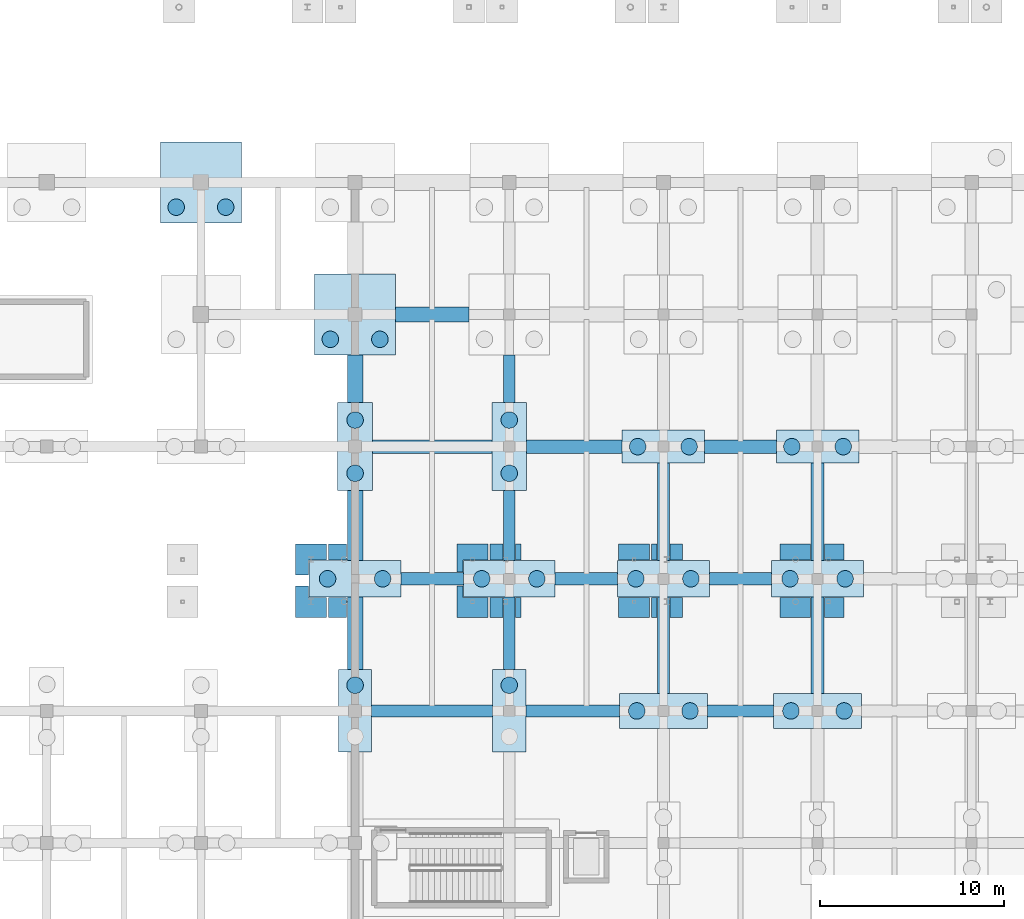
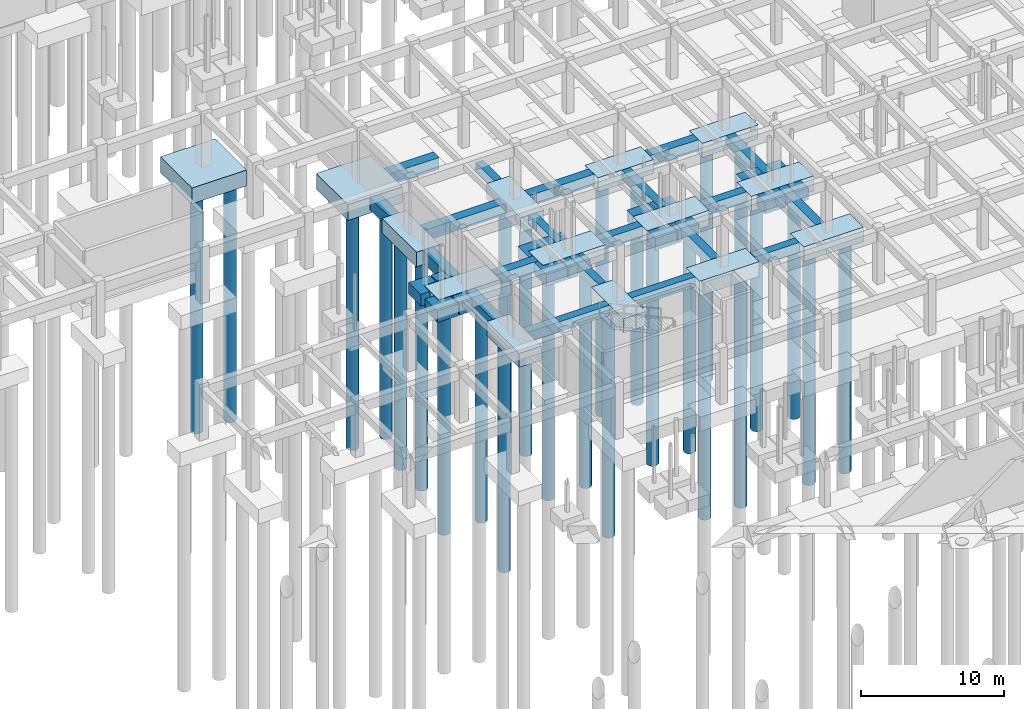
# One storey, part 6 of 80: 54 footings, 26 piles.
"""IFC4 building model written with IfcOpenShell, lengths in metres."""

import ifcopenshell
import ifcopenshell.guid

model = None  # the IFC model being written
_history = None  # IfcOwnerHistory: only IFC2X3 demands one
_inside = {}  # id of a spatial element -> (the spatial element, [elements in it])
_under = {}  # id of a project, library or spatial element -> (it, [spatial elements below it])
_declared = {}  # id of a project -> (the project, [libraries it declares])
_typed = {}  # id of a type object -> (the type object, [elements of that type])
_made_of = {}  # id of a material, layer set ... -> (it, [elements and type objects made of it])


def new_model(schema):
    """Start an empty IFC model of exactly this schema.

    Asked for "IFC4X3", IfcOpenShell would pick the latest addendum, in which some entities
    have other attributes; the version numbers below select the first issue.
    IFC2X3 requires an IfcOwnerHistory on every rooted entity: one is made here for all.
    """
    global model, _history
    if schema == "IFC4X3":
        model = ifcopenshell.file(schema_version=(4, 3, 0, 0))
    else:
        model = ifcopenshell.file(schema=schema)
    _inside.clear()
    _under.clear()
    _declared.clear()
    _typed.clear()
    _made_of.clear()
    _history = None
    if model.schema == "IFC2X3":
        org = make("IfcOrganization", Name="unknown")
        user = make(
            "IfcPersonAndOrganization",
            ThePerson=make("IfcPerson", FamilyName="unknown"),
            TheOrganization=org,
        )
        app = make(
            "IfcApplication",
            ApplicationDeveloper=org,
            Version="unknown",
            ApplicationFullName="unknown",
            ApplicationIdentifier="unknown",
        )
        _history = make(
            "IfcOwnerHistory",
            OwningUser=user,
            OwningApplication=app,
            ChangeAction="ADDED",
            CreationDate=0,
        )
    return model


def make(cls, **values):
    """One entity of the class cls with the attributes given. An attribute that is None is left unset."""
    return model.create_entity(
        cls, **{name: value for name, value in values.items() if value is not None}
    )


def rooted(cls, **values):
    """An entity with a GlobalId (a new one), such as an element, a storey or a relation."""
    return make(cls, GlobalId=ifcopenshell.guid.new(), OwnerHistory=_history, **values)


def si_unit(unit_type, name, prefix=None):
    """IfcSIUnit, for example si_unit("LENGTHUNIT", "METRE", prefix="MILLI")."""
    return make("IfcSIUnit", UnitType=unit_type, Prefix=prefix, Name=name)


def assignment(units):
    """IfcUnitAssignment: the units of a project."""
    return None if units is None else make("IfcUnitAssignment", Units=units)


def point(xyz):
    """IfcCartesianPoint."""
    return None if xyz is None else make("IfcCartesianPoint", Coordinates=xyz)


def direction(xyz):
    """IfcDirection."""
    return None if xyz is None else make("IfcDirection", DirectionRatios=xyz)


def frame(location, z_axis=None, x_axis=None):
    """IfcAxis2Placement3D, a coordinate frame: its origin and axes. An axis left out is left unset."""
    return make(
        "IfcAxis2Placement3D",
        Location=point(location),
        Axis=direction(z_axis),
        RefDirection=direction(x_axis),
    )


def frame_2d(location, x_axis=None):
    """IfcAxis2Placement2D, a coordinate frame in the plane: its origin and x axis."""
    return make(
        "IfcAxis2Placement2D", Location=point(location), RefDirection=direction(x_axis)
    )


def origin():
    """The frame at (0, 0, 0) with its axes left unset."""
    return frame((0.0, 0.0, 0.0))


def origin_2d():
    """The frame at (0, 0) in the plane with its x axis left unset."""
    return frame_2d((0.0, 0.0))


def place(relative_to, where):
    """IfcLocalPlacement: puts the frame where relative to a parent placement (None: the world)."""
    return make(
        "IfcLocalPlacement", PlacementRelTo=relative_to, RelativePlacement=where
    )


def context(
    kind, dimensions, precision=None, world=None, true_north=None, identifier=None
):
    """IfcGeometricRepresentationContext, for example the 3D "Model" context."""
    return make(
        "IfcGeometricRepresentationContext",
        ContextIdentifier=identifier,
        ContextType=kind,
        CoordinateSpaceDimension=dimensions,
        Precision=precision,
        WorldCoordinateSystem=world,
        TrueNorth=true_north,
    )


def subcontext(parent, identifier, kind, view, scale=None):
    """IfcGeometricRepresentationSubContext, for example "Body" below "Model"."""
    return make(
        "IfcGeometricRepresentationSubContext",
        ContextIdentifier=identifier,
        ContextType=kind,
        ParentContext=parent,
        TargetScale=scale,
        TargetView=view,
    )


def project(units=None, contexts=None):
    """IfcProject with its units and contexts."""
    return rooted(
        "IfcProject",
        Name="project",
        RepresentationContexts=contexts,
        UnitsInContext=assignment(units),
    )


def spatial(cls, under=None, at=None, **own):
    """A site, building, storey or space (cls), placed at a placement, below another one or the project."""
    s = rooted(cls, ObjectPlacement=at, **own)
    if under is not None:
        _under.setdefault(under.id(), (under, []))[1].append(s)
    return s


def polyline(points):
    """IfcPolyline through the points."""
    return make("IfcPolyline", Points=[point(p) for p in points])


def profile(cls, at=None, kind="AREA", **sizes):
    """A parametric profile (cls). Its sizes go by their IFC names, for example OverallWidth=200.0."""
    return make(cls, ProfileType=kind, Position=at, **sizes)


def rectangle(**sizes):
    """IfcRectangleProfileDef."""
    return profile("IfcRectangleProfileDef", **sizes)


def circle(**sizes):
    """IfcCircleProfileDef."""
    return profile("IfcCircleProfileDef", **sizes)


def outline(outer, holes=None, kind="AREA"):
    """IfcArbitraryClosedProfileDef: a profile drawn as a closed curve; with holes, ...WithVoids."""
    if holes is None:
        return make("IfcArbitraryClosedProfileDef", ProfileType=kind, OuterCurve=outer)
    return make(
        "IfcArbitraryProfileDefWithVoids",
        ProfileType=kind,
        OuterCurve=outer,
        InnerCurves=holes,
    )


def extrude(swept, where, along, depth):
    """IfcExtrudedAreaSolid: the profile swept, set in the frame where, extruded along a direction by depth."""
    return make(
        "IfcExtrudedAreaSolid",
        SweptArea=swept,
        Position=where,
        ExtrudedDirection=direction(along),
        Depth=depth,
    )


def shape(context_of_items, identifier, shape_type, items):
    """IfcShapeRepresentation: the items that make up one representation, for example the "Body"."""
    return make(
        "IfcShapeRepresentation",
        ContextOfItems=context_of_items,
        RepresentationIdentifier=identifier,
        RepresentationType=shape_type,
        Items=items,
    )


def material(Name=None, Category=None):
    """IfcMaterial."""
    return make("IfcMaterial", Name=Name, Category=Category)


def material_profile(
    of_material, cross_section, Name=None, Category=None, Priority=None
):
    """IfcMaterialProfile: a cross section and its material."""
    return make(
        "IfcMaterialProfile",
        Name=Name,
        Material=of_material,
        Profile=cross_section,
        Priority=Priority,
        Category=Category,
    )


def profile_set(profiles, Name=None, composite=None):
    """IfcMaterialProfileSet."""
    return make(
        "IfcMaterialProfileSet",
        Name=Name,
        MaterialProfiles=profiles,
        CompositeProfile=composite,
    )


def made_of(thing, what):
    """Note that an element or type object is made of a material, layer set ...; save() writes the relation."""
    if what is not None:
        _made_of.setdefault(what.id(), (what, []))[1].append(thing)
    return thing


def type_object(cls, material=None, **own):
    """A type object (cls), such as IfcWallType, which elements share."""
    return made_of(rooted(cls, **own), material)


def element(
    cls,
    number,
    at=None,
    inside=None,
    cuts=None,
    type_object=None,
    material=None,
    context=None,
    identifier="Body",
    shape_type=None,
    held_by="IfcProductDefinitionShape",
    body=None,
    shapes=None,
    **own,
):
    """One element of the class cls, such as IfcWall. Its Tag is "e" and its number.

    at: its placement. inside: the storey or other place that contains it. cuts: it is an
    opening in that element (IfcRelVoidsElement). A single representation is given by context,
    identifier, shape_type and body (its items); several are given by shapes. held_by: the class
    of the entity that holds the representations. save() writes the other relations.
    """
    e = rooted(cls, Tag="e%d" % number, ObjectPlacement=at, **own)
    if body is not None:
        shapes = [shape(context, identifier, shape_type, body)]
    if shapes is not None:
        e.Representation = make(held_by, Representations=shapes)
    if inside is not None:
        _inside.setdefault(inside.id(), (inside, []))[1].append(e)
    if cuts is not None:
        rooted(
            "IfcRelVoidsElement", RelatingBuildingElement=cuts, RelatedOpeningElement=e
        )
    if type_object is not None:
        _typed.setdefault(type_object.id(), (type_object, []))[1].append(e)
    return made_of(e, material)


def aggregate(whole, parts):
    """IfcRelAggregates: a whole, such as a stair, and the parts it consists of."""
    return rooted("IfcRelAggregates", RelatingObject=whole, RelatedObjects=parts)


def save(model, path):
    """Write the relations noted so far, then the file.

    IfcRelAggregates (storeys below a building ...), IfcRelContainedInSpatialStructure (elements
    in a storey), IfcRelDefinesByType, IfcRelAssociatesMaterial and IfcRelDeclares: one each for
    every whole, place, type object, material and project.
    """
    for whole, parts in _under.values():
        aggregate(whole, parts)
    for where, things in _inside.values():
        rooted(
            "IfcRelContainedInSpatialStructure",
            RelatedElements=things,
            RelatingStructure=where,
        )
    for kind, things in _typed.values():
        rooted("IfcRelDefinesByType", RelatedObjects=things, RelatingType=kind)
    for what, things in _made_of.values():
        rooted("IfcRelAssociatesMaterial", RelatedObjects=things, RelatingMaterial=what)
    for by, libraries in _declared.values():
        rooted("IfcRelDeclares", RelatingContext=by, RelatedDefinitions=libraries)
    model.write(path)


model = new_model("IFC4")

# Units and contexts
model_context = context("Model", 3, precision=1e-05, world=origin(), true_north=direction((0.0, 1.0)))
body_context = subcontext(model_context, "Body", "Model", "MODEL_VIEW")
ifc_project = project(units=[si_unit("LENGTHUNIT", "METRE"), si_unit("AREAUNIT", "SQUARE_METRE"), si_unit("VOLUMEUNIT", "CUBIC_METRE"), si_unit("PLANEANGLEUNIT", "RADIAN"), si_unit("MASSUNIT", "GRAM", prefix="KILO")], contexts=[model_context])

# Site, building, storey
site_placement = place(None, origin())
site = spatial("IfcSite", under=ifc_project, at=site_placement, CompositionType="ELEMENT")
building_placement = place(site_placement, origin())
building = spatial("IfcBuilding", under=site, at=building_placement, Name="Malvenik Polytechnic", CompositionType="ELEMENT")
storey_placement = place(building_placement, frame((0.0, 0.0, -4.800048828125)))
storey = spatial("IfcBuildingStorey", under=building, at=storey_placement, Name="B1", CompositionType="ELEMENT", Elevation=-4.800048828125)

# Footings
ifc_material = material(Name="Concrete C35/45", Category="concrete")
footing_type_1 = type_object("IfcFootingType", Name="STR-PC-1800x4500x1200", PredefinedType="PILE_CAP", material=ifc_material)
for number, where, z_axis, x_axis, name in (
    (1, (50.39990234375, 79.199951171875, -1.19970703125), (0.0, 0.0, 1.0), (1.0, 0.0, 0.0), "Pile Cap PC-01 #76"),
    (2, (58.800048828125, 79.199951171875, -1.19970703125), (0.0, 0.0, 1.0), (1.0, 0.0, 0.0), "Pile Cap PC-01 #88"),
):
    element("IfcFooting", number, at=place(storey_placement, frame(where, z_axis=z_axis, x_axis=x_axis)), inside=storey, type_object=footing_type_1, Name=name, PredefinedType="PILE_CAP", context=body_context, shape_type="SweptSolid", body=[
        extrude(rectangle(XDim=4.5, YDim=1.800048828125, at=origin_2d()), origin(), (0.0, 0.0, 1.0), 1.199951171875),
    ])
footing_type_2 = type_object("IfcFootingType", Name="STR-PC-1900x4800x1250", PredefinedType="PILE_CAP", material=ifc_material)
for number, where, z_axis, x_axis, name in (
    (3, (50.39990234375, 64.800048828125, -1.25), (0.0, 0.0, 1.0), (1.0, 0.0, 0.0), "Pile Cap PC-13 #74"),
    (4, (58.800048828125, 64.800048828125, -1.25), (0.0, 0.0, 1.0), (1.0, 0.0, 0.0), "Pile Cap PC-13 #86"),
):
    element("IfcFooting", number, at=place(storey_placement, frame(where, z_axis=z_axis, x_axis=x_axis)), inside=storey, type_object=footing_type_2, Name=name, PredefinedType="PILE_CAP", context=body_context, shape_type="SweptSolid", body=[
        extrude(rectangle(XDim=4.800048828125, YDim=1.89990234375, at=origin_2d()), origin(), (0.0, 0.0, 1.0), 1.25),
    ])
footing_type_3 = type_object("IfcFootingType", Name="STR-PC-2000x5000x1300", PredefinedType="PILE_CAP", material=ifc_material)
for number, where, z_axis, x_axis, name in (
    (5, (33.60009765625, 72.0, -1.2998046875), (0.0, 0.0, 1.0), (1.0, 0.0, 0.0), "Pile Cap PC-03 #50"),
    (6, (42.0, 72.0, -1.2998046875), (0.0, 0.0, 1.0), (1.0, 0.0, 0.0), "Pile Cap PC-03 #62"),
    (7, (50.39990234375, 72.0, -1.2998046875), (0.0, 0.0, 1.0), (1.0, 0.0, 0.0), "Pile Cap PC-03 #75"),
    (8, (58.800048828125, 72.0, -1.2998046875), (0.0, 0.0, 1.0), (1.0, 0.0, 0.0), "Pile Cap PC-03 #87"),
):
    element("IfcFooting", number, at=place(storey_placement, frame(where, z_axis=z_axis, x_axis=x_axis)), inside=storey, type_object=footing_type_3, Name=name, PredefinedType="PILE_CAP", context=body_context, shape_type="SweptSolid", body=[
        extrude(rectangle(XDim=5.0, YDim=2.0, at=origin_2d()), origin(), (0.0, 0.0, 1.0), 1.300048828125),
    ])
footing_type_4 = type_object("IfcFootingType", Name="STR-PC-4500x1800x1200", PredefinedType="PILE_CAP", material=ifc_material)
for number, where, z_axis, x_axis, name in (
    (9, (33.60009765625, 64.800048828125, -1.19970703125), (0.0, 0.0, 1.0), (1.0, 0.0, 0.0), "Pile Cap PC-02 #49"),
    (10, (42.0, 64.800048828125, -1.19970703125), (0.0, 0.0, 1.0), (1.0, 0.0, 0.0), "Pile Cap PC-02 #61"),
):
    element("IfcFooting", number, at=place(storey_placement, frame(where, z_axis=z_axis, x_axis=x_axis)), inside=storey, type_object=footing_type_4, Name=name, PredefinedType="PILE_CAP", context=body_context, shape_type="SweptSolid", body=[
        extrude(rectangle(XDim=1.800048828125, YDim=4.5, at=origin_2d()), origin(), (0.0, 0.0, 1.0), 1.199951171875),
    ])
footing_type_5 = type_object("IfcFootingType", Name="STR-PC-4800x1900x1250", PredefinedType="PILE_CAP", material=ifc_material)
for number, where, z_axis, x_axis, name in (
    (11, (33.60009765625, 79.199951171875, -1.25), (0.0, 0.0, 1.0), (1.0, 0.0, 0.0), "Pile Cap PC-14 #51"),
    (12, (42.0, 79.199951171875, -1.25), (0.0, 0.0, 1.0), (1.0, 0.0, 0.0), "Pile Cap PC-14 #63"),
):
    element("IfcFooting", number, at=place(storey_placement, frame(where, z_axis=z_axis, x_axis=x_axis)), inside=storey, type_object=footing_type_5, Name=name, PredefinedType="PILE_CAP", context=body_context, shape_type="SweptSolid", body=[
        extrude(rectangle(XDim=1.89990234375, YDim=4.800048828125, at=origin_2d()), origin(), (0.0, 0.0, 1.0), 1.25),
    ])
footing_type_6 = type_object("IfcFootingType", Name="STR-PC-COMB-10", PredefinedType="PILE_CAP", material=ifc_material)
footing_1_placement = place(storey_placement, frame((25.199951171875, 93.60009765625, -1.35009765625), z_axis=(0.0, 0.0, 1.0), x_axis=(1.0, 0.0, 0.0)))
element("IfcFooting", 13, at=footing_1_placement, inside=storey, type_object=footing_type_6, Name="Pile Cap PCC-10 #37", PredefinedType="PILE_CAP", context=body_context, shape_type="SweptSolid", body=[
    extrude(rectangle(XDim=4.39990234375, YDim=4.39990234375, at=origin_2d()), origin(), (0.0, 0.0, 1.0), 1.35009765625),
])
footing_type_7 = type_object("IfcFootingType", Name="STR-PC-COMB-13", PredefinedType="PILE_CAP", material=ifc_material)
footing_2_placement = place(storey_placement, frame((33.60009765625, 86.39990234375, -1.35009765625), z_axis=(0.0, 0.0, 1.0), x_axis=(1.0, 0.0, 0.0)))
element("IfcFooting", 14, at=footing_2_placement, inside=storey, type_object=footing_type_7, Name="Pile Cap PCC-13 #52", PredefinedType="PILE_CAP", context=body_context, shape_type="SweptSolid", body=[
    extrude(rectangle(XDim=4.39990234375, YDim=4.39990234375, at=origin_2d()), origin(), (0.0, 0.0, 1.0), 1.35009765625),
])

# Piles
ifc_material_profile_1 = material_profile(ifc_material, circle(Radius=0.449951171875, at=origin_2d()), Name="BORED PILE D900")
ifc_profile_set_1 = profile_set([ifc_material_profile_1], Name="Concrete C35/45")
pile_type_1 = type_object("IfcPileType", Name="STR-PL-D900-195", PredefinedType="BORED", material=ifc_profile_set_1)
for number, where, z_axis, x_axis, name in (
    (15, (32.10009765625, 72.0, -1.199951171875), (0.0, 0.0, -1.0), (1.0, 0.0, 0.0), "Bored Pile PL-01 #113"),
    (16, (35.10009765625, 72.0, -1.199951171875), (0.0, 0.0, -1.0), (1.0, 0.0, 0.0), "Bored Pile PL-01 #114"),
    (17, (40.5, 72.0, -1.199951171875), (0.0, 0.0, -1.0), (1.0, 0.0, 0.0), "Bored Pile PL-01 #141"),
    (18, (43.5, 72.0, -1.199951171875), (0.0, 0.0, -1.0), (1.0, 0.0, 0.0), "Bored Pile PL-01 #142"),
    (19, (48.89990234375, 72.0, -1.199951171875), (0.0, 0.0, -1.0), (1.0, 0.0, 0.0), "Bored Pile PL-01 #173"),
    (20, (51.89990234375, 72.0, -1.199951171875), (0.0, 0.0, -1.0), (1.0, 0.0, 0.0), "Bored Pile PL-01 #174"),
    (21, (57.300048828125, 72.0, -1.199951171875), (0.0, 0.0, -1.0), (1.0, 0.0, 0.0), "Bored Pile PL-01 #201"),
    (22, (60.300048828125, 72.0, -1.199951171875), (0.0, 0.0, -1.0), (1.0, 0.0, 0.0), "Bored Pile PL-01 #202"),
):
    element("IfcPile", number, at=place(storey_placement, frame(where, z_axis=z_axis, x_axis=x_axis)), inside=storey, type_object=pile_type_1, Name=name, PredefinedType="BORED", context=body_context, shape_type="SweptSolid", body=[
        extrude(circle(Radius=0.449951171875, at=origin_2d()), origin(), (0.0, 0.0, 1.0), 19.5),
    ])
ifc_material_profile_2 = material_profile(ifc_material, circle(Radius=0.449951171875, at=origin_2d()), Name="BORED PILE D900")
ifc_profile_set_2 = profile_set([ifc_material_profile_2], Name="Concrete C35/45")
pile_type_2 = type_object("IfcPileType", Name="STR-PL-D900-198", PredefinedType="BORED", material=ifc_profile_set_2)
for number, where, z_axis, x_axis, name in (
    (23, (33.60009765625, 66.199951171875, -1.099853515625), (0.0, 0.0, -1.0), (1.0, 0.0, 0.0), "Bored Pile PL-02 #112"),
    (24, (33.60009765625, 77.75, -1.14990234375), (0.0, 0.0, -1.0), (1.0, 0.0, 0.0), "Bored Pile PL-02 #115"),
    (25, (33.60009765625, 80.64990234375, -1.14990234375), (0.0, 0.0, -1.0), (1.0, 0.0, 0.0), "Bored Pile PL-02 #116"),
    (26, (42.0, 66.199951171875, -1.099853515625), (0.0, 0.0, -1.0), (1.0, 0.0, 0.0), "Bored Pile PL-02 #140"),
    (27, (42.0, 77.75, -1.14990234375), (0.0, 0.0, -1.0), (1.0, 0.0, 0.0), "Bored Pile PL-02 #143"),
    (28, (42.0, 80.64990234375, -1.14990234375), (0.0, 0.0, -1.0), (1.0, 0.0, 0.0), "Bored Pile PL-02 #144"),
    (29, (48.949951171875, 64.800048828125, -1.14990234375), (0.0, 0.0, -1.0), (1.0, 0.0, 0.0), "Bored Pile PL-02 #171"),
    (30, (51.85009765625, 64.800048828125, -1.14990234375), (0.0, 0.0, -1.0), (1.0, 0.0, 0.0), "Bored Pile PL-02 #172"),
    (31, (49.0, 79.199951171875, -1.099853515625), (0.0, 0.0, -1.0), (1.0, 0.0, 0.0), "Bored Pile PL-02 #175"),
    (32, (51.800048828125, 79.199951171875, -1.099853515625), (0.0, 0.0, -1.0), (1.0, 0.0, 0.0), "Bored Pile PL-02 #176"),
    (33, (57.35009765625, 64.800048828125, -1.14990234375), (0.0, 0.0, -1.0), (1.0, 0.0, 0.0), "Bored Pile PL-02 #199"),
    (34, (60.25, 64.800048828125, -1.14990234375), (0.0, 0.0, -1.0), (1.0, 0.0, 0.0), "Bored Pile PL-02 #200"),
    (35, (57.39990234375, 79.199951171875, -1.099853515625), (0.0, 0.0, -1.0), (1.0, 0.0, 0.0), "Bored Pile PL-02 #203"),
    (36, (60.199951171875, 79.199951171875, -1.099853515625), (0.0, 0.0, -1.0), (1.0, 0.0, 0.0), "Bored Pile PL-02 #204"),
):
    element("IfcPile", number, at=place(storey_placement, frame(where, z_axis=z_axis, x_axis=x_axis)), inside=storey, type_object=pile_type_2, Name=name, PredefinedType="BORED", context=body_context, shape_type="SweptSolid", body=[
        extrude(circle(Radius=0.449951171875, at=origin_2d()), origin(), (0.0, 0.0, 1.0), 19.800048828125),
    ])
ifc_material_profile_3 = material_profile(ifc_material, circle(Radius=0.449951171875, at=origin_2d()), Name="BORED PILE D900")
ifc_profile_set_3 = profile_set([ifc_material_profile_3], Name="Concrete C35/45")
pile_type_3 = type_object("IfcPileType", Name="STR-PL-D900-202", PredefinedType="BORED", material=ifc_profile_set_3)
for number, where, z_axis, x_axis, name in (
    (37, (23.85009765625, 92.25, -1.25), (0.0, 0.0, -1.0), (1.0, 0.0, 0.0), "Bored Pile PL-03 #83"),
    (38, (26.550048828125, 92.25, -1.25), (0.0, 0.0, -1.0), (1.0, 0.0, 0.0), "Bored Pile PL-03 #84"),
    (39, (32.25, 85.050048828125, -1.25), (0.0, 0.0, -1.0), (1.0, 0.0, 0.0), "Bored Pile PL-03 #117"),
    (40, (34.949951171875, 85.050048828125, -1.25), (0.0, 0.0, -1.0), (1.0, 0.0, 0.0), "Bored Pile PL-03 #118"),
):
    element("IfcPile", number, at=place(storey_placement, frame(where, z_axis=z_axis, x_axis=x_axis)), inside=storey, type_object=pile_type_3, Name=name, PredefinedType="BORED", context=body_context, shape_type="SweptSolid", body=[
        extrude(circle(Radius=0.449951171875, at=origin_2d()), origin(), (0.0, 0.0, 1.0), 20.199951171875),
    ])

# Footings
footing_type_8 = type_object("IfcFootingType", Name="STR-SF-600x800", PredefinedType="STRIP_FOOTING", material=ifc_material)
footing_3_placement = place(storey_placement, frame((0.0, 0.0, -0.800048828125)))
element("IfcFooting", 41, at=footing_3_placement, inside=storey, type_object=footing_type_8, Name="Ground Tie Beam SF-01 #196", PredefinedType="STRIP_FOOTING", context=body_context, shape_type="SweptSolid", body=[
    extrude(outline(polyline([(41.699951171875, 67.050048828125), (42.300048828125, 67.050048828125), (42.300048828125, 71.0), (41.699951171875, 71.0), (41.699951171875, 67.050048828125)])), origin(), (0.0, 0.0, 1.0), 0.800048828125),
])
footing_4_placement = place(storey_placement, frame((0.0, 0.0, -0.800048828125)))
element("IfcFooting", 42, at=footing_4_placement, inside=storey, type_object=footing_type_8, Name="Ground Tie Beam SF-01 #197", PredefinedType="STRIP_FOOTING", context=body_context, shape_type="SweptSolid", body=[
    extrude(outline(polyline([(41.699951171875, 73.0), (42.300048828125, 73.0), (42.300048828125, 76.800048828125), (41.699951171875, 76.800048828125), (41.699951171875, 73.0)])), origin(), (0.0, 0.0, 1.0), 0.800048828125),
])
footing_5_placement = place(storey_placement, frame((0.0, 0.0, -0.800048828125)))
element("IfcFooting", 43, at=footing_5_placement, inside=storey, type_object=footing_type_8, Name="Ground Tie Beam SF-01 #198", PredefinedType="STRIP_FOOTING", context=body_context, shape_type="SweptSolid", body=[
    extrude(outline(polyline([(41.699951171875, 81.60009765625), (42.300048828125, 81.60009765625), (42.300048828125, 84.199951171875), (41.699951171875, 84.199951171875), (41.699951171875, 81.60009765625)])), origin(), (0.0, 0.0, 1.0), 0.800048828125),
])
footing_type_9 = type_object("IfcFootingType", Name="STR-SF-650x850", PredefinedType="STRIP_FOOTING", material=ifc_material)
footing_6_placement = place(storey_placement, frame((0.0, 0.0, -0.849853515625)))
element("IfcFooting", 44, at=footing_6_placement, inside=storey, type_object=footing_type_9, Name="Ground Tie Beam SF-02 #70", PredefinedType="STRIP_FOOTING", context=body_context, shape_type="SweptSolid", body=[
    extrude(outline(polyline([(34.5, 64.47509765625), (41.10009765625, 64.47509765625), (41.10009765625, 65.125), (34.5, 65.125), (34.5, 64.47509765625)])), origin(), (0.0, 0.0, 1.0), 0.849853515625),
])
footing_7_placement = place(storey_placement, frame((0.0, 0.0, -0.849853515625)))
element("IfcFooting", 45, at=footing_7_placement, inside=storey, type_object=footing_type_9, Name="Ground Tie Beam SF-02 #71", PredefinedType="STRIP_FOOTING", context=body_context, shape_type="SweptSolid", body=[
    extrude(outline(polyline([(42.89990234375, 64.47509765625), (48.0, 64.47509765625), (48.0, 65.125), (42.89990234375, 65.125), (42.89990234375, 64.47509765625)])), origin(), (0.0, 0.0, 1.0), 0.849853515625),
])
footing_8_placement = place(storey_placement, frame((0.0, 0.0, -0.849853515625)))
element("IfcFooting", 46, at=footing_8_placement, inside=storey, type_object=footing_type_9, Name="Ground Tie Beam SF-02 #72", PredefinedType="STRIP_FOOTING", context=body_context, shape_type="SweptSolid", body=[
    extrude(outline(polyline([(52.800048828125, 64.47509765625), (56.39990234375, 64.47509765625), (56.39990234375, 65.125), (52.800048828125, 65.125), (52.800048828125, 64.47509765625)])), origin(), (0.0, 0.0, 1.0), 0.849853515625),
])
footing_9_placement = place(storey_placement, frame((0.0, 0.0, -0.849853515625)))
element("IfcFooting", 47, at=footing_9_placement, inside=storey, type_object=footing_type_9, Name="Ground Tie Beam SF-02 #206", PredefinedType="STRIP_FOOTING", context=body_context, shape_type="SweptSolid", body=[
    extrude(outline(polyline([(50.074951171875, 65.75), (50.72509765625, 65.75), (50.72509765625, 71.0), (50.074951171875, 71.0), (50.074951171875, 65.75)])), origin(), (0.0, 0.0, 1.0), 0.849853515625),
])
footing_10_placement = place(storey_placement, frame((0.0, 0.0, -0.849853515625)))
element("IfcFooting", 48, at=footing_10_placement, inside=storey, type_object=footing_type_9, Name="Ground Tie Beam SF-02 #207", PredefinedType="STRIP_FOOTING", context=body_context, shape_type="SweptSolid", body=[
    extrude(outline(polyline([(50.074951171875, 73.0), (50.72509765625, 73.0), (50.72509765625, 78.300048828125), (50.074951171875, 78.300048828125), (50.074951171875, 73.0)])), origin(), (0.0, 0.0, 1.0), 0.849853515625),
])
footing_type_10 = type_object("IfcFootingType", Name="STR-SF-700x900", PredefinedType="STRIP_FOOTING", material=ifc_material)
footing_11_placement = place(storey_placement, frame((0.0, 0.0, -0.89990234375)))
element("IfcFooting", 49, at=footing_11_placement, inside=storey, type_object=footing_type_10, Name="Ground Tie Beam SF-03 #82", PredefinedType="STRIP_FOOTING", context=body_context, shape_type="SweptSolid", body=[
    extrude(outline(polyline([(36.10009765625, 71.64990234375), (39.5, 71.64990234375), (39.5, 72.35009765625), (36.10009765625, 72.35009765625), (36.10009765625, 71.64990234375)])), origin(), (0.0, 0.0, 1.0), 0.89990234375),
])
footing_12_placement = place(storey_placement, frame((0.0, 0.0, -0.89990234375)))
element("IfcFooting", 50, at=footing_12_placement, inside=storey, type_object=footing_type_10, Name="Ground Tie Beam SF-03 #83", PredefinedType="STRIP_FOOTING", context=body_context, shape_type="SweptSolid", body=[
    extrude(outline(polyline([(44.5, 71.64990234375), (47.89990234375, 71.64990234375), (47.89990234375, 72.35009765625), (44.5, 72.35009765625), (44.5, 71.64990234375)])), origin(), (0.0, 0.0, 1.0), 0.89990234375),
])
footing_13_placement = place(storey_placement, frame((0.0, 0.0, -0.89990234375)))
element("IfcFooting", 51, at=footing_13_placement, inside=storey, type_object=footing_type_10, Name="Ground Tie Beam SF-03 #84", PredefinedType="STRIP_FOOTING", context=body_context, shape_type="SweptSolid", body=[
    extrude(outline(polyline([(52.89990234375, 71.64990234375), (56.300048828125, 71.64990234375), (56.300048828125, 72.35009765625), (52.89990234375, 72.35009765625), (52.89990234375, 71.64990234375)])), origin(), (0.0, 0.0, 1.0), 0.89990234375),
])
footing_14_placement = place(storey_placement, frame((0.0, 0.0, -0.89990234375)))
element("IfcFooting", 52, at=footing_14_placement, inside=storey, type_object=footing_type_10, Name="Ground Tie Beam SF-03 #215", PredefinedType="STRIP_FOOTING", context=body_context, shape_type="SweptSolid", body=[
    extrude(outline(polyline([(58.449951171875, 65.75), (59.14990234375, 65.75), (59.14990234375, 71.0), (58.449951171875, 71.0), (58.449951171875, 65.75)])), origin(), (0.0, 0.0, 1.0), 0.89990234375),
])
footing_15_placement = place(storey_placement, frame((0.0, 0.0, -0.89990234375)))
element("IfcFooting", 53, at=footing_15_placement, inside=storey, type_object=footing_type_10, Name="Ground Tie Beam SF-03 #216", PredefinedType="STRIP_FOOTING", context=body_context, shape_type="SweptSolid", body=[
    extrude(outline(polyline([(58.449951171875, 73.0), (59.14990234375, 73.0), (59.14990234375, 78.300048828125), (58.449951171875, 78.300048828125), (58.449951171875, 73.0)])), origin(), (0.0, 0.0, 1.0), 0.89990234375),
])
footing_type_11 = type_object("IfcFootingType", Name="STR-SF-750x950", PredefinedType="STRIP_FOOTING", material=ifc_material)
footing_16_placement = place(storey_placement, frame((0.0, 0.0, -0.949951171875)))
element("IfcFooting", 54, at=footing_16_placement, inside=storey, type_object=footing_type_11, Name="Ground Tie Beam SF-04 #94", PredefinedType="STRIP_FOOTING", context=body_context, shape_type="SweptSolid", body=[
    extrude(outline(polyline([(34.550048828125, 78.824951171875), (41.050048828125, 78.824951171875), (41.050048828125, 79.574951171875), (34.550048828125, 79.574951171875), (34.550048828125, 78.824951171875)])), origin(), (0.0, 0.0, 1.0), 0.949951171875),
])
footing_17_placement = place(storey_placement, frame((0.0, 0.0, -0.949951171875)))
element("IfcFooting", 55, at=footing_17_placement, inside=storey, type_object=footing_type_11, Name="Ground Tie Beam SF-04 #95", PredefinedType="STRIP_FOOTING", context=body_context, shape_type="SweptSolid", body=[
    extrude(outline(polyline([(42.949951171875, 78.824951171875), (48.14990234375, 78.824951171875), (48.14990234375, 79.574951171875), (42.949951171875, 79.574951171875), (42.949951171875, 78.824951171875)])), origin(), (0.0, 0.0, 1.0), 0.949951171875),
])
footing_18_placement = place(storey_placement, frame((0.0, 0.0, -0.949951171875)))
element("IfcFooting", 56, at=footing_18_placement, inside=storey, type_object=footing_type_11, Name="Ground Tie Beam SF-04 #96", PredefinedType="STRIP_FOOTING", context=body_context, shape_type="SweptSolid", body=[
    extrude(outline(polyline([(52.64990234375, 78.824951171875), (56.550048828125, 78.824951171875), (56.550048828125, 79.574951171875), (52.64990234375, 79.574951171875), (52.64990234375, 78.824951171875)])), origin(), (0.0, 0.0, 1.0), 0.949951171875),
])
footing_type_12 = type_object("IfcFootingType", Name="STR-SF-800x1000", PredefinedType="STRIP_FOOTING", material=ifc_material)
footing_19_placement = place(storey_placement, frame((0.0, 0.0, -1.0)))
element("IfcFooting", 57, at=footing_19_placement, inside=storey, type_object=footing_type_12, Name="Ground Tie Beam SF-05 #106", PredefinedType="STRIP_FOOTING", context=body_context, shape_type="SweptSolid", body=[
    extrude(outline(polyline([(35.800048828125, 86.0), (39.800048828125, 86.0), (39.800048828125, 86.800048828125), (35.800048828125, 86.800048828125), (35.800048828125, 86.0)])), origin(), (0.0, 0.0, 1.0), 1.0),
])
footing_20_placement = place(storey_placement, frame((0.0, 0.0, -1.0)))
element("IfcFooting", 58, at=footing_20_placement, inside=storey, type_object=footing_type_12, Name="Bridge-Ramp Pier Footing #79.1", PredefinedType="STRIP_FOOTING", context=body_context, shape_type="SweptSolid", body=[
    extrude(outline(polyline([(60.25, 69.89990234375), (59.179931640625, 69.89990234375), (59.179931640625, 70.969970703125), (60.25, 70.969970703125), (60.25, 69.89990234375)])), origin(), (0.0, 0.0, 1.0), 1.0),
])
footing_21_placement = place(storey_placement, frame((0.0, 0.0, -1.0)))
element("IfcFooting", 59, at=footing_21_placement, inside=storey, type_object=footing_type_12, Name="Bridge-Ramp Pier Footing #80.1", PredefinedType="STRIP_FOOTING", context=body_context, shape_type="SweptSolid", body=[
    extrude(outline(polyline([(60.25, 73.89990234375), (60.25, 73.030029296875), (59.179931640625, 73.030029296875), (59.179931640625, 73.89990234375), (60.25, 73.89990234375)])), origin(), (0.0, 0.0, 1.0), 1.0),
])
footing_22_placement = place(storey_placement, frame((0.0, 0.0, -1.0)))
element("IfcFooting", 60, at=footing_22_placement, inside=storey, type_object=footing_type_12, Name="Bridge-Ramp Pier Footing #81.1", PredefinedType="STRIP_FOOTING", context=body_context, shape_type="SweptSolid", body=[
    extrude(outline(polyline([(56.75, 69.89990234375), (56.75, 70.969970703125), (58.419921875, 70.969970703125), (58.419921875, 69.89990234375), (56.75, 69.89990234375)])), origin(), (0.0, 0.0, 1.0), 1.0),
])
footing_23_placement = place(storey_placement, frame((0.0, 0.0, -1.0)))
element("IfcFooting", 61, at=footing_23_placement, inside=storey, type_object=footing_type_12, Name="Bridge-Ramp Pier Footing #82.1", PredefinedType="STRIP_FOOTING", context=body_context, shape_type="SweptSolid", body=[
    extrude(outline(polyline([(56.75, 73.89990234375), (58.419921875, 73.89990234375), (58.419921875, 73.030029296875), (56.75, 73.030029296875), (56.75, 73.89990234375)])), origin(), (0.0, 0.0, 1.0), 1.0),
])
footing_24_placement = place(storey_placement, frame((0.0, 0.0, -1.0)))
element("IfcFooting", 62, at=footing_24_placement, inside=storey, type_object=footing_type_12, Name="Bridge-Ramp Pier Footing #83.1", PredefinedType="STRIP_FOOTING", context=body_context, shape_type="SweptSolid", body=[
    extrude(outline(polyline([(51.449951171875, 69.89990234375), (50.7548828125, 69.89990234375), (50.7548828125, 70.969970703125), (51.449951171875, 70.969970703125), (51.449951171875, 69.89990234375)])), origin(), (0.0, 0.0, 1.0), 1.0),
])
footing_25_placement = place(storey_placement, frame((0.0, 0.0, -1.0)))
element("IfcFooting", 63, at=footing_25_placement, inside=storey, type_object=footing_type_12, Name="Bridge-Ramp Pier Footing #83.2", PredefinedType="STRIP_FOOTING", context=body_context, shape_type="SweptSolid", body=[
    extrude(outline(polyline([(49.75, 69.89990234375), (49.75, 70.969970703125), (50.044921875, 70.969970703125), (50.044921875, 69.89990234375), (49.75, 69.89990234375)])), origin(), (0.0, 0.0, 1.0), 1.0),
])
footing_26_placement = place(storey_placement, frame((0.0, 0.0, -1.0)))
element("IfcFooting", 64, at=footing_26_placement, inside=storey, type_object=footing_type_12, Name="Bridge-Ramp Pier Footing #84.1", PredefinedType="STRIP_FOOTING", context=body_context, shape_type="SweptSolid", body=[
    extrude(outline(polyline([(51.449951171875, 73.89990234375), (51.449951171875, 73.030029296875), (50.7548828125, 73.030029296875), (50.7548828125, 73.89990234375), (51.449951171875, 73.89990234375)])), origin(), (0.0, 0.0, 1.0), 1.0),
])
footing_27_placement = place(storey_placement, frame((0.0, 0.0, -1.0)))
element("IfcFooting", 65, at=footing_27_placement, inside=storey, type_object=footing_type_12, Name="Bridge-Ramp Pier Footing #84.2", PredefinedType="STRIP_FOOTING", context=body_context, shape_type="SweptSolid", body=[
    extrude(outline(polyline([(49.75, 73.89990234375), (50.044921875, 73.89990234375), (50.044921875, 73.030029296875), (49.75, 73.030029296875), (49.75, 73.89990234375)])), origin(), (0.0, 0.0, 1.0), 1.0),
])
footing_28_placement = place(storey_placement, frame((0.0, 0.0, -1.0)))
element("IfcFooting", 66, at=footing_28_placement, inside=storey, type_object=footing_type_12, Name="Bridge-Ramp Pier Footing #85.1", PredefinedType="STRIP_FOOTING", context=body_context, shape_type="SweptSolid", body=[
    extrude(outline(polyline([(49.64990234375, 69.89990234375), (47.949951171875, 69.89990234375), (47.949951171875, 70.969970703125), (49.64990234375, 70.969970703125), (49.64990234375, 69.89990234375)])), origin(), (0.0, 0.0, 1.0), 1.0),
])
footing_29_placement = place(storey_placement, frame((0.0, 0.0, -1.0)))
element("IfcFooting", 67, at=footing_29_placement, inside=storey, type_object=footing_type_12, Name="Bridge-Ramp Pier Footing #86.1", PredefinedType="STRIP_FOOTING", context=body_context, shape_type="SweptSolid", body=[
    extrude(outline(polyline([(47.949951171875, 73.89990234375), (49.64990234375, 73.89990234375), (49.64990234375, 73.030029296875), (47.949951171875, 73.030029296875), (47.949951171875, 73.89990234375)])), origin(), (0.0, 0.0, 1.0), 1.0),
])
footing_30_placement = place(storey_placement, frame((0.0, 0.0, -1.0)))
element("IfcFooting", 68, at=footing_30_placement, inside=storey, type_object=footing_type_12, Name="Bridge-Ramp Pier Footing #87.1", PredefinedType="STRIP_FOOTING", context=body_context, shape_type="SweptSolid", body=[
    extrude(outline(polyline([(42.64990234375, 69.89990234375), (42.330078125, 69.89990234375), (42.330078125, 70.969970703125), (42.64990234375, 70.969970703125), (42.64990234375, 69.89990234375)])), origin(), (0.0, 0.0, 1.0), 1.0),
])
footing_31_placement = place(storey_placement, frame((0.0, 0.0, -1.0)))
element("IfcFooting", 69, at=footing_31_placement, inside=storey, type_object=footing_type_12, Name="Bridge-Ramp Pier Footing #87.2", PredefinedType="STRIP_FOOTING", context=body_context, shape_type="SweptSolid", body=[
    extrude(outline(polyline([(40.949951171875, 69.89990234375), (40.949951171875, 70.969970703125), (41.669921875, 70.969970703125), (41.669921875, 69.89990234375), (40.949951171875, 69.89990234375)])), origin(), (0.0, 0.0, 1.0), 1.0),
])
footing_32_placement = place(storey_placement, frame((0.0, 0.0, -1.0)))
element("IfcFooting", 70, at=footing_32_placement, inside=storey, type_object=footing_type_12, Name="Bridge-Ramp Pier Footing #88.1", PredefinedType="STRIP_FOOTING", context=body_context, shape_type="SweptSolid", body=[
    extrude(outline(polyline([(42.64990234375, 73.89990234375), (42.64990234375, 73.030029296875), (42.330078125, 73.030029296875), (42.330078125, 73.89990234375), (42.64990234375, 73.89990234375)])), origin(), (0.0, 0.0, 1.0), 1.0),
])
footing_33_placement = place(storey_placement, frame((0.0, 0.0, -1.0)))
element("IfcFooting", 71, at=footing_33_placement, inside=storey, type_object=footing_type_12, Name="Bridge-Ramp Pier Footing #88.2", PredefinedType="STRIP_FOOTING", context=body_context, shape_type="SweptSolid", body=[
    extrude(outline(polyline([(40.949951171875, 73.89990234375), (41.669921875, 73.89990234375), (41.669921875, 73.030029296875), (40.949951171875, 73.030029296875), (40.949951171875, 73.89990234375)])), origin(), (0.0, 0.0, 1.0), 1.0),
])
footing_34_placement = place(storey_placement, frame((0.0, 0.0, -1.0)))
element("IfcFooting", 72, at=footing_34_placement, inside=storey, type_object=footing_type_12, Name="Bridge-Ramp Pier Footing #89.1", PredefinedType="STRIP_FOOTING", context=body_context, shape_type="SweptSolid", body=[
    extrude(outline(polyline([(40.85009765625, 69.89990234375), (39.14990234375, 69.89990234375), (39.14990234375, 71.60009765625), (39.469970703125, 71.60009765625), (39.469970703125, 71.0), (39.47021484375, 70.9970703125), (39.470703125, 70.994140625), (39.47119140625, 70.9912109375), (39.472412109375, 70.988525390625), (39.473388671875, 70.98583984375), (39.47509765625, 70.9833984375), (39.476806640625, 70.98095703125), (39.478759765625, 70.978759765625), (39.48095703125, 70.976806640625), (39.4833984375, 70.97509765625), (39.48583984375, 70.973388671875), (39.488525390625, 70.972412109375), (39.4912109375, 70.97119140625), (39.494140625, 70.970703125), (39.4970703125, 70.97021484375), (39.5, 70.969970703125), (40.85009765625, 70.969970703125), (40.85009765625, 69.89990234375)])), origin(), (0.0, 0.0, 1.0), 1.0),
])
footing_35_placement = place(storey_placement, frame((0.0, 0.0, -1.0)))
element("IfcFooting", 73, at=footing_35_placement, inside=storey, type_object=footing_type_12, Name="Bridge-Ramp Pier Footing #90.1", PredefinedType="STRIP_FOOTING", context=body_context, shape_type="SweptSolid", body=[
    extrude(outline(polyline([(39.14990234375, 73.89990234375), (40.85009765625, 73.89990234375), (40.85009765625, 73.030029296875), (39.5, 73.030029296875), (39.4970703125, 73.02978515625), (39.494140625, 73.029296875), (39.4912109375, 73.02880859375), (39.488525390625, 73.027587890625), (39.48583984375, 73.026611328125), (39.4833984375, 73.02490234375), (39.48095703125, 73.023193359375), (39.478759765625, 73.021240234375), (39.476806640625, 73.01904296875), (39.47509765625, 73.0166015625), (39.473388671875, 73.01416015625), (39.472412109375, 73.011474609375), (39.47119140625, 73.0087890625), (39.470703125, 73.005859375), (39.47021484375, 73.0029296875), (39.469970703125, 73.0), (39.469970703125, 72.3798828125), (39.14990234375, 72.3798828125), (39.14990234375, 73.89990234375)])), origin(), (0.0, 0.0, 1.0), 1.0),
])
footing_36_placement = place(storey_placement, frame((0.0, 0.0, -1.0)))
element("IfcFooting", 74, at=footing_36_placement, inside=storey, type_object=footing_type_12, Name="Bridge-Ramp Pier Footing #91.1", PredefinedType="STRIP_FOOTING", context=body_context, shape_type="SweptSolid", body=[
    extrude(outline(polyline([(32.14990234375, 69.89990234375), (32.14990234375, 70.969970703125), (33.14501953125, 70.969970703125), (33.14501953125, 69.89990234375), (32.14990234375, 69.89990234375)])), origin(), (0.0, 0.0, 1.0), 1.0),
])
footing_37_placement = place(storey_placement, frame((0.0, 0.0, -1.0)))
element("IfcFooting", 75, at=footing_37_placement, inside=storey, type_object=footing_type_12, Name="Bridge-Ramp Pier Footing #92.1", PredefinedType="STRIP_FOOTING", context=body_context, shape_type="SweptSolid", body=[
    extrude(outline(polyline([(32.14990234375, 73.89990234375), (33.14501953125, 73.89990234375), (33.14501953125, 73.030029296875), (32.14990234375, 73.030029296875), (32.14990234375, 73.89990234375)])), origin(), (0.0, 0.0, 1.0), 1.0),
])
footing_38_placement = place(storey_placement, frame((0.0, 0.0, -1.0)))
element("IfcFooting", 76, at=footing_38_placement, inside=storey, type_object=footing_type_12, Name="Bridge-Ramp Pier Footing #93.1", PredefinedType="STRIP_FOOTING", context=body_context, shape_type="SweptSolid", body=[
    extrude(outline(polyline([(32.050048828125, 69.89990234375), (30.35009765625, 69.89990234375), (30.35009765625, 71.60009765625), (31.070068359375, 71.60009765625), (31.070068359375, 71.0), (31.070068359375, 70.9970703125), (31.070556640625, 70.994140625), (31.0712890625, 70.9912109375), (31.072265625, 70.988525390625), (31.073486328125, 70.98583984375), (31.0751953125, 70.9833984375), (31.076904296875, 70.98095703125), (31.078857421875, 70.978759765625), (31.0810546875, 70.976806640625), (31.083251953125, 70.97509765625), (31.0859375, 70.973388671875), (31.08837890625, 70.972412109375), (31.09130859375, 70.97119140625), (31.093994140625, 70.970703125), (31.09716796875, 70.97021484375), (31.10009765625, 70.969970703125), (32.050048828125, 70.969970703125), (32.050048828125, 69.89990234375)])), origin(), (0.0, 0.0, 1.0), 1.0),
])
footing_39_placement = place(storey_placement, frame((0.0, 0.0, -1.0)))
element("IfcFooting", 77, at=footing_39_placement, inside=storey, type_object=footing_type_12, Name="Bridge-Ramp Pier Footing #94.1", PredefinedType="STRIP_FOOTING", context=body_context, shape_type="SweptSolid", body=[
    extrude(outline(polyline([(30.35009765625, 72.199951171875), (30.35009765625, 73.89990234375), (32.050048828125, 73.89990234375), (32.050048828125, 73.030029296875), (31.10009765625, 73.030029296875), (31.09716796875, 73.02978515625), (31.093994140625, 73.029296875), (31.09130859375, 73.02880859375), (31.08837890625, 73.027587890625), (31.0859375, 73.026611328125), (31.083251953125, 73.02490234375), (31.0810546875, 73.023193359375), (31.078857421875, 73.021240234375), (31.076904296875, 73.01904296875), (31.0751953125, 73.0166015625), (31.073486328125, 73.01416015625), (31.072265625, 73.011474609375), (31.0712890625, 73.0087890625), (31.070556640625, 73.005859375), (31.070068359375, 73.0029296875), (31.070068359375, 73.0), (31.070068359375, 72.199951171875), (30.35009765625, 72.199951171875)])), origin(), (0.0, 0.0, 1.0), 1.0),
])
footing_type_13 = type_object("IfcFootingType", Name="STR-SF-850x1050", PredefinedType="STRIP_FOOTING", material=ifc_material)
footing_40_placement = place(storey_placement, frame((0.0, 0.0, -1.050048828125)))
element("IfcFooting", 78, at=footing_40_placement, inside=storey, type_object=footing_type_13, Name="Ground Tie Beam SF-08 #187", PredefinedType="STRIP_FOOTING", context=body_context, shape_type="SweptSolid", body=[
    extrude(outline(polyline([(33.175048828125, 67.050048828125), (34.02490234375, 67.050048828125), (34.02490234375, 71.0), (33.175048828125, 71.0), (33.175048828125, 67.050048828125)])), origin(), (0.0, 0.0, 1.0), 1.050048828125),
])
footing_41_placement = place(storey_placement, frame((0.0, 0.0, -1.050048828125)))
element("IfcFooting", 79, at=footing_41_placement, inside=storey, type_object=footing_type_13, Name="Ground Tie Beam SF-08 #188", PredefinedType="STRIP_FOOTING", context=body_context, shape_type="SweptSolid", body=[
    extrude(outline(polyline([(33.175048828125, 73.0), (34.02490234375, 73.0), (34.02490234375, 76.800048828125), (33.175048828125, 76.800048828125), (33.175048828125, 73.0)])), origin(), (0.0, 0.0, 1.0), 1.050048828125),
])
footing_42_placement = place(storey_placement, frame((0.0, 0.0, -1.050048828125)))
element("IfcFooting", 80, at=footing_42_placement, inside=storey, type_object=footing_type_13, Name="Ground Tie Beam SF-08 #189", PredefinedType="STRIP_FOOTING", context=body_context, shape_type="SweptSolid", body=[
    extrude(outline(polyline([(33.175048828125, 81.60009765625), (34.02490234375, 81.60009765625), (34.02490234375, 84.199951171875), (33.175048828125, 84.199951171875), (33.175048828125, 81.60009765625)])), origin(), (0.0, 0.0, 1.0), 1.050048828125),
])

save(model, "model.ifc")
